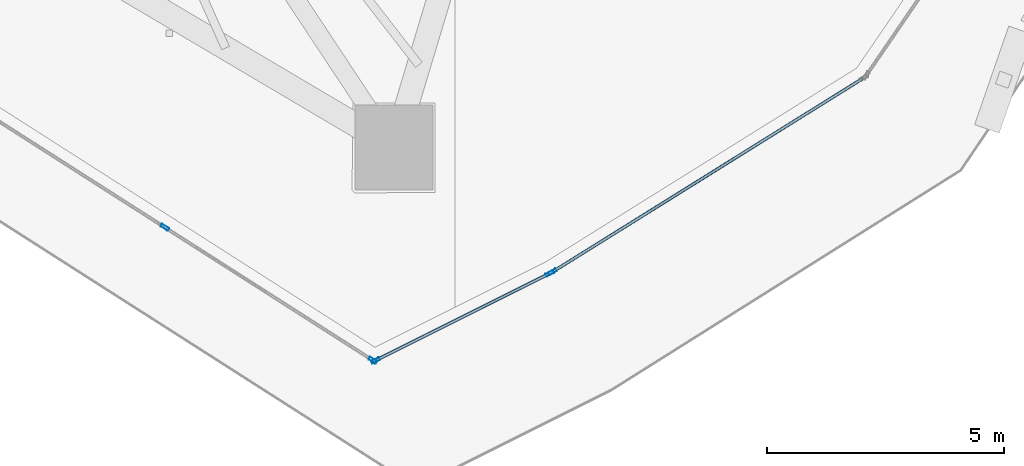
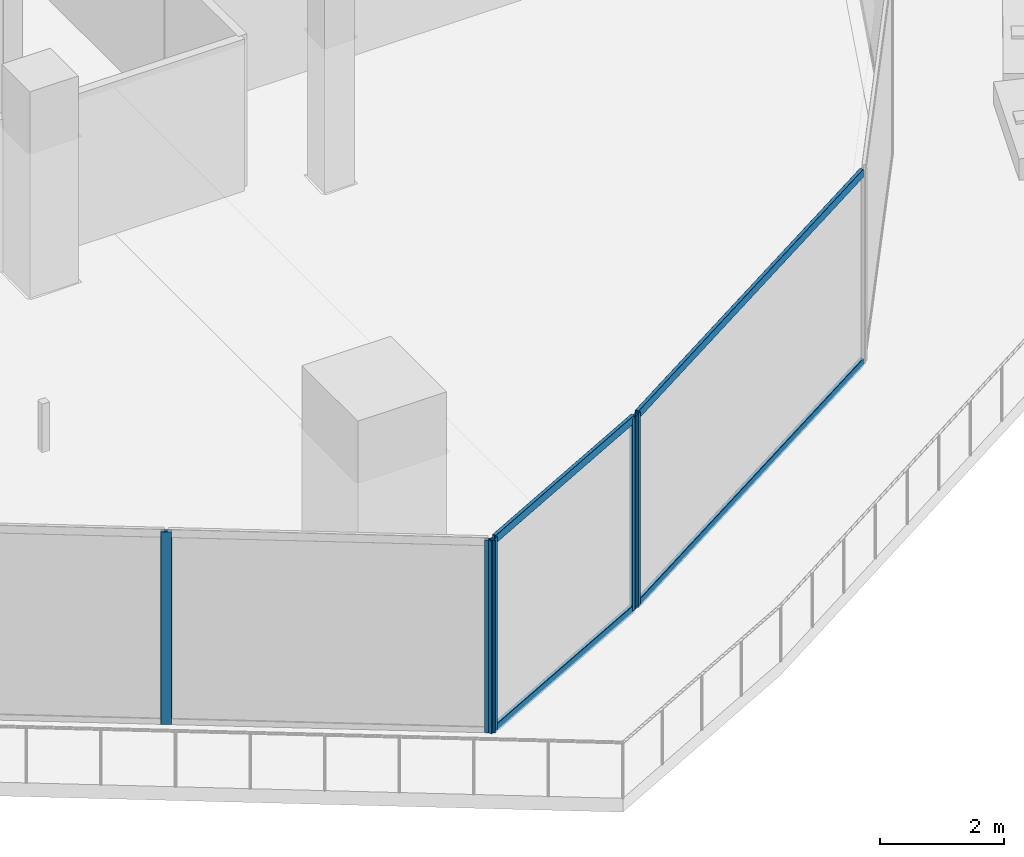
# One storey, part 8 of 30: 9 members, 3 elements without a shape of their own.
"""IFC4 building model written with IfcOpenShell, lengths in metres."""

from ifc_helpers import new_model, si_unit, direction, frame, origin, origin_2d, place, context, subcontext, project, spatial, hollow_rectangle, extrude, material, layer, layer_set, material_profile, profile_set, type_object, element, aggregate, save


model = new_model("IFC4")

# Units and contexts
model_context = context("Model", 3, precision=1e-05, world=origin(), true_north=direction((0.0, 1.0)))
body_context = subcontext(model_context, "Body", "Model", "MODEL_VIEW")
ifc_project = project(units=[si_unit("LENGTHUNIT", "METRE"), si_unit("AREAUNIT", "SQUARE_METRE"), si_unit("VOLUMEUNIT", "CUBIC_METRE"), si_unit("PLANEANGLEUNIT", "RADIAN"), si_unit("MASSUNIT", "GRAM", prefix="KILO")], contexts=[model_context])

# Site, building, storey
site_placement = place(None, origin())
site = spatial("IfcSite", under=ifc_project, at=site_placement, CompositionType="ELEMENT")
building_placement = place(site_placement, origin())
building = spatial("IfcBuilding", under=site, at=building_placement, Name="Qorvath Tower", CompositionType="ELEMENT")
storey_placement = place(building_placement, frame((0.0, 0.0, 217.199951171875)))
storey = spatial("IfcBuildingStorey", under=building, at=storey_placement, Name="L50", CompositionType="ELEMENT", Elevation=217.199951171875)

# Curtain wall, members
ifc_material_1 = material(Name="Anodised aluminium and triple low-E glass", Category="aluminium")
ifc_layer = layer(ifc_material_1, 0.179931640625)
ifc_layer_set = layer_set([ifc_layer], Name="CW-SYS-3")
curtain_wall_type = type_object("IfcCurtainWallType", Name="CW-SYS-3", PredefinedType="NOTDEFINED", material=ifc_layer_set)
curtain_wall_1_placement = place(storey_placement, origin())
curtain_wall_1 = element("IfcCurtainWall", 1, at=curtain_wall_1_placement, inside=storey, type_object=curtain_wall_type, Name="Curtain Wall CW-3 CW-T-L50-2.2", PredefinedType="NOTDEFINED")
ifc_material_2 = material(Name="Anodised aluminium 6063-T6", Category="aluminium")
ifc_material_profile_1 = material_profile(ifc_material_2, hollow_rectangle(XDim=0.06494140625, YDim=0.179931640625, WallThickness=0.00341796875, InnerFilletRadius=0.00341796875, OuterFilletRadius=0.007080078125, at=origin_2d()), Name="CWM 180x65")
ifc_profile_set_1 = profile_set([ifc_material_profile_1], Name="Anodised aluminium 6063-T6")
member_type_1 = type_object("IfcMemberType", Name="CWM-180", PredefinedType="MULLION", material=ifc_profile_set_1)
member_1_placement = place(storey_placement, frame((-21.705810546875, -23.311279296875, 0.0), z_axis=(0.0, 0.0, 1.0), x_axis=(0.538534785809, 0.842603278224, 0.0)))
member_1 = element("IfcMember", 2, at=member_1_placement, type_object=member_type_1, Name="CW-3 mullion 7", PredefinedType="MULLION", context=body_context, shape_type="SweptSolid", body=[
    extrude(hollow_rectangle(XDim=0.06494140625, YDim=0.179931640625, WallThickness=0.00341796875, InnerFilletRadius=0.00341796875, OuterFilletRadius=0.007080078125, at=origin_2d()), origin(), (0.0, 0.0, 1.0), 3.780029296875),
])
member_2_placement = place(storey_placement, frame((-17.31591796875, -26.116943359375, 0.0), z_axis=(0.0, 0.0, 1.0), x_axis=(0.538534785809, 0.842603278224, 0.0)))
member_2 = element("IfcMember", 3, at=member_2_placement, type_object=member_type_1, Name="CW-3 mullion 8", PredefinedType="MULLION", context=body_context, shape_type="SweptSolid", body=[
    extrude(hollow_rectangle(XDim=0.06494140625, YDim=0.179931640625, WallThickness=0.00341796875, InnerFilletRadius=0.00341796875, OuterFilletRadius=0.007080078125, at=origin_2d()), origin(), (0.0, 0.0, 1.0), 3.780029296875),
])
aggregate(curtain_wall_1, [member_1, member_2])

curtain_wall_2_placement = place(storey_placement, origin())
curtain_wall_2 = element("IfcCurtainWall", 4, at=curtain_wall_2_placement, inside=storey, type_object=curtain_wall_type, Name="Curtain Wall CW-3 CW-T-L50-3.1", PredefinedType="NOTDEFINED")
member_3_placement = place(storey_placement, frame((-17.259521484375, -26.119873046875, 0.0), z_axis=(0.0, 0.0, 1.0), x_axis=(-0.447223177633, 0.894422399869, 0.0)))
member_3 = element("IfcMember", 5, at=member_3_placement, type_object=member_type_1, Name="CW-3 mullion 1", PredefinedType="MULLION", context=body_context, shape_type="SweptSolid", body=[
    extrude(hollow_rectangle(XDim=0.06494140625, YDim=0.179931640625, WallThickness=0.00341796875, InnerFilletRadius=0.00341796875, OuterFilletRadius=0.007080078125, at=origin_2d()), origin(), (0.0, 0.0, 1.0), 3.780029296875),
])
member_4_placement = place(storey_placement, frame((-13.583984375, -24.2822265625, 0.0), z_axis=(0.0, 0.0, 1.0), x_axis=(-0.447223177633, 0.894422399869, 0.0)))
member_4 = element("IfcMember", 6, at=member_4_placement, type_object=member_type_1, Name="CW-3 mullion 2", PredefinedType="MULLION", context=body_context, shape_type="SweptSolid", body=[
    extrude(hollow_rectangle(XDim=0.06494140625, YDim=0.179931640625, WallThickness=0.00341796875, InnerFilletRadius=0.00341796875, OuterFilletRadius=0.007080078125, at=origin_2d()), origin(), (0.0, 0.0, 1.0), 3.780029296875),
])

# Curtain wall, member
curtain_wall_3_placement = place(storey_placement, origin())
curtain_wall_3 = element("IfcCurtainWall", 7, at=curtain_wall_3_placement, inside=storey, type_object=curtain_wall_type, Name="Curtain Wall CW-3 CW-T-L50-4.1", PredefinedType="NOTDEFINED")
member_5_placement = place(storey_placement, frame((-13.52734375, -24.25048828125, 0.0), z_axis=(0.0, 0.0, 1.0), x_axis=(-0.528981931327, 0.848633086987, 0.0)))
member_5 = element("IfcMember", 8, at=member_5_placement, type_object=member_type_1, Name="CW-3 mullion 1", PredefinedType="MULLION", context=body_context, shape_type="SweptSolid", body=[
    extrude(hollow_rectangle(XDim=0.06494140625, YDim=0.179931640625, WallThickness=0.00341796875, InnerFilletRadius=0.00341796875, OuterFilletRadius=0.007080078125, at=origin_2d()), origin(), (0.0, 0.0, 1.0), 3.780029296875),
])

# Member
ifc_material_3 = material(Name="Anodised aluminium 6063-T6", Category="aluminium")
ifc_material_profile_2 = material_profile(ifc_material_3, hollow_rectangle(XDim=0.06494140625, YDim=0.159912109375, WallThickness=0.00341796875, InnerFilletRadius=0.00341796875, OuterFilletRadius=0.007080078125, at=origin_2d()), Name="CWT 160x65")
ifc_profile_set_2 = profile_set([ifc_material_profile_2], Name="Anodised aluminium 6063-T6")
member_type_2 = type_object("IfcMemberType", Name="CWT-160", PredefinedType="USERDEFINED", material=ifc_profile_set_2)
member_6_placement = place(storey_placement, frame((-17.23046875, -26.10546875, 0.032470703125), z_axis=(0.894415117851, 0.447237740984, 0.0), x_axis=(-0.447237740984, 0.894415117851, 0.0)))
member_6 = element("IfcMember", 9, at=member_6_placement, type_object=member_type_2, Name="CW-3 transom 1.1", ObjectType="TRANSOM", PredefinedType="USERDEFINED", context=body_context, shape_type="SweptSolid", body=[
    extrude(hollow_rectangle(XDim=0.06494140625, YDim=0.159912109375, WallThickness=0.00341796875, InnerFilletRadius=0.00341796875, OuterFilletRadius=0.007080078125, at=origin_2d()), origin(), (0.0, 0.0, 1.0), 4.04443359375),
])

member_7_placement = place(storey_placement, frame((-17.23046875, -26.10546875, 3.74755859375), z_axis=(0.894415117851, 0.447237740984, 0.0), x_axis=(-0.447237740984, 0.894415117851, 0.0)))
member_7 = element("IfcMember", 10, at=member_7_placement, type_object=member_type_2, Name="CW-3 transom 1.2", ObjectType="TRANSOM", PredefinedType="USERDEFINED", context=body_context, shape_type="SweptSolid", body=[
    extrude(hollow_rectangle(XDim=0.06494140625, YDim=0.159912109375, WallThickness=0.00341796875, InnerFilletRadius=0.00341796875, OuterFilletRadius=0.007080078125, at=origin_2d()), origin(), (0.0, 0.0, 1.0), 4.04443359375),
])

aggregate(curtain_wall_2, [member_3, member_4, member_6, member_7])

member_8_placement = place(storey_placement, frame((-13.499755859375, -24.233154296875, 0.032470703125), z_axis=(0.848637276505, 0.528975210125, 0.0), x_axis=(-0.528975210125, 0.848637276505, 0.0)))
member_8 = element("IfcMember", 11, at=member_8_placement, type_object=member_type_2, Name="CW-3 transom 1.1", ObjectType="TRANSOM", PredefinedType="USERDEFINED", context=body_context, shape_type="SweptSolid", body=[
    extrude(hollow_rectangle(XDim=0.06494140625, YDim=0.159912109375, WallThickness=0.00341796875, InnerFilletRadius=0.00341796875, OuterFilletRadius=0.007080078125, at=origin_2d()), origin(), (0.0, 0.0, 1.0), 7.67724609375),
])

member_9_placement = place(storey_placement, frame((-13.499755859375, -24.233154296875, 3.74755859375), z_axis=(0.848637276505, 0.528975210125, 0.0), x_axis=(-0.528975210125, 0.848637276505, 0.0)))
member_9 = element("IfcMember", 12, at=member_9_placement, type_object=member_type_2, Name="CW-3 transom 1.2", ObjectType="TRANSOM", PredefinedType="USERDEFINED", context=body_context, shape_type="SweptSolid", body=[
    extrude(hollow_rectangle(XDim=0.06494140625, YDim=0.159912109375, WallThickness=0.00341796875, InnerFilletRadius=0.00341796875, OuterFilletRadius=0.007080078125, at=origin_2d()), origin(), (0.0, 0.0, 1.0), 7.67724609375),
])

aggregate(curtain_wall_3, [member_5, member_8, member_9])

save(model, "model.ifc")
